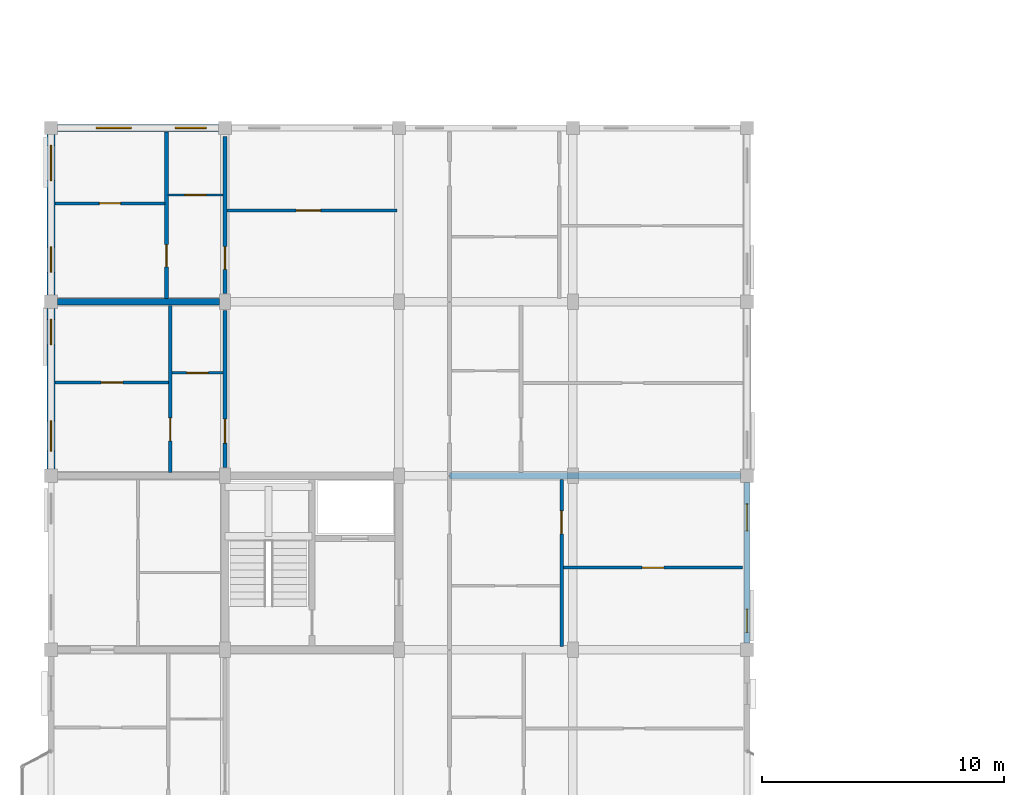
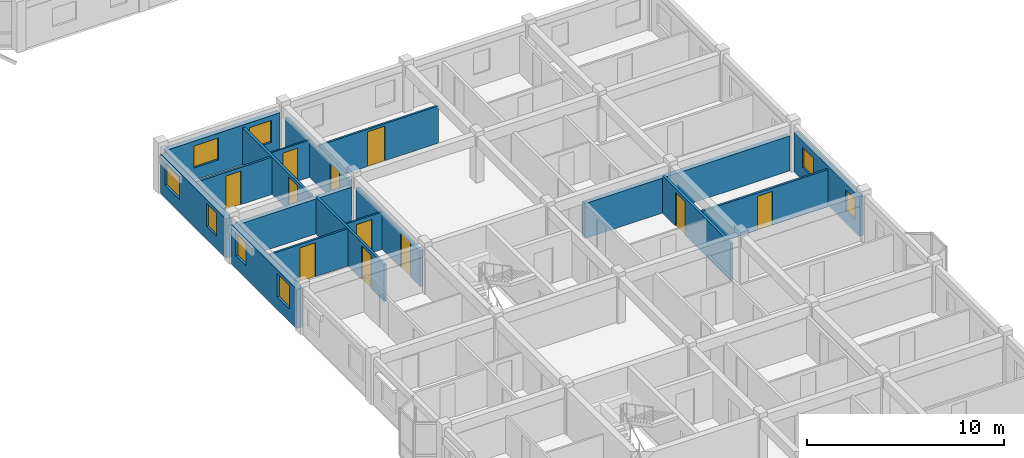
# One storey, part 53 of 77: 17 walls, 11 doors, 8 windows, 19 openings.
"""IFC4 building model written with IfcOpenShell, lengths in metres."""

from ifc_helpers import new_model, si_unit, direction, frame, frame_2d, origin, place, context, subcontext, project, spatial, rectangle, extrude, material, layer, layer_set, type_object, element, fill, save


model = new_model("IFC4")

# Units and contexts
model_context = context("Model", 3, precision=1e-05, world=origin(), true_north=direction((0.0, 1.0)))
body_context = subcontext(model_context, "Body", "Model", "MODEL_VIEW")
ifc_project = project(units=[si_unit("LENGTHUNIT", "METRE"), si_unit("AREAUNIT", "SQUARE_METRE"), si_unit("VOLUMEUNIT", "CUBIC_METRE"), si_unit("PLANEANGLEUNIT", "RADIAN"), si_unit("MASSUNIT", "GRAM", prefix="KILO"), si_unit("THERMODYNAMICTEMPERATUREUNIT", "KELVIN"), si_unit("POWERUNIT", "WATT")], contexts=[model_context])

# Site, building, storey
site_placement = place(None, origin())
site = spatial("IfcSite", under=ifc_project, at=site_placement, CompositionType="ELEMENT")
building_placement = place(site_placement, origin())
building = spatial("IfcBuilding", under=site, at=building_placement, Name="Tavuni Mirador Residences", CompositionType="ELEMENT")
storey_placement = place(building_placement, frame((0.0, 0.0, 10.800048828125)))
storey = spatial("IfcBuildingStorey", under=building, at=storey_placement, Name="L03", CompositionType="ELEMENT", Elevation=10.800048828125)

# Wall, opening, door
ifc_material_1 = material(Name="Precast concrete C40/50", Category="concrete")
ifc_layer_1 = layer(ifc_material_1, 0.1650390625, Name="Precast concrete C40/50", Category="concrete")
ifc_layer_set_1 = layer_set([ifc_layer_1], Name="Precast concrete C40/50")
wall_type_1 = type_object("IfcWallType", Name="WT-CORR165", PredefinedType="PARTITIONING", material=ifc_layer_set_1)
wall_1_placement = place(storey_placement, frame((10.800048828125, 36.35009765625, 0.0), z_axis=(0.0, 0.0, 1.0), x_axis=(0.0, 1.0, 0.0)))
wall_1 = element("IfcWall", 1, at=wall_1_placement, inside=storey, type_object=wall_type_1, Name="CORW-BLK-A-L03-1-04", PredefinedType="PARTITIONING", context=body_context, shape_type="SweptSolid", body=[
    extrude(rectangle(XDim=6.5, YDim=0.1650390625, at=frame_2d((3.25, 0.0))), origin(), (0.0, 0.0, 1.0), 2.219970703125),
])
opening_1_placement = place(wall_1_placement, frame((1.0, 0.0, 0.0)))
opening_1 = element("IfcOpeningElement", 2, at=opening_1_placement, cuts=wall_1, Name="Opening D-03", PredefinedType="OPENING", context=body_context, shape_type="SweptSolid", body=[
    extrude(rectangle(XDim=1.0, YDim=2.14990234375, at=frame_2d((0.5, 1.074951171875))), frame((0.0, 0.092529296875, 0.0), z_axis=(0.0, -1.0, 0.0), x_axis=(1.0, 0.0, 0.0)), (0.0, 0.0, 1.0), 0.18505859375),
])
ifc_material_2 = material(Name="Solid core iroko timber", Category="wood")
door_type_1 = type_object("IfcDoorType", Name="DT-FD60-1000", OperationType="NOTDEFINED", PredefinedType="DOOR", material=ifc_material_2)
door_1_placement = place(opening_1_placement, origin())
door_1 = element("IfcDoor", 3, at=door_1_placement, inside=storey, type_object=door_type_1, Name="DR-2421", OperationType="SINGLE_SWING_RIGHT", OverallHeight=2.14990234375, OverallWidth=1.0, PredefinedType="DOOR", context=body_context, shape_type="SweptSolid", body=[
    extrude(rectangle(XDim=1.0, YDim=2.14990234375, at=frame_2d((0.5, 1.074951171875))), frame((0.0, 0.02490234375, 0.0), z_axis=(0.0, -1.0, 0.0), x_axis=(1.0, 0.0, 0.0)), (0.0, 0.0, 1.0), 0.050048828125),
])
fill(opening_1, door_1)

wall_2_placement = place(storey_placement, frame((10.800048828125, 43.550048828125, 0.0), z_axis=(0.0, 0.0, 1.0), x_axis=(0.0, 1.0, 0.0)))
wall_2 = element("IfcWall", 4, at=wall_2_placement, inside=storey, type_object=wall_type_1, Name="CORW-BLK-A-L03-1-05", PredefinedType="PARTITIONING", context=body_context, shape_type="SweptSolid", body=[
    extrude(rectangle(XDim=6.5, YDim=0.1650390625, at=frame_2d((3.25, 0.0))), origin(), (0.0, 0.0, 1.0), 2.219970703125),
])
opening_2_placement = place(wall_2_placement, frame((1.0, 0.0, 0.0)))
opening_2 = element("IfcOpeningElement", 5, at=opening_2_placement, cuts=wall_2, Name="Opening D-19", PredefinedType="OPENING", context=body_context, shape_type="SweptSolid", body=[
    extrude(rectangle(XDim=0.93994140625, YDim=2.1201171875, at=frame_2d((0.469970703125, 1.06005859375))), frame((0.0, 0.092529296875, 0.0), z_axis=(0.0, -1.0, 0.0), x_axis=(1.0, 0.0, 0.0)), (0.0, 0.0, 1.0), 0.18505859375),
])
door_type_2 = type_object("IfcDoorType", Name="DT-FD60-940", OperationType="NOTDEFINED", PredefinedType="DOOR", material=ifc_material_2)
door_2_placement = place(opening_2_placement, origin())
door_2 = element("IfcDoor", 6, at=door_2_placement, inside=storey, type_object=door_type_2, Name="DR-2422", OperationType="SINGLE_SWING_LEFT", OverallHeight=2.1201171875, OverallWidth=0.93994140625, PredefinedType="DOOR", context=body_context, shape_type="SweptSolid", body=[
    extrude(rectangle(XDim=0.93994140625, YDim=2.1201171875, at=frame_2d((0.469970703125, 1.06005859375))), frame((0.0, 0.02490234375, 0.0), z_axis=(0.0, -1.0, 0.0), x_axis=(1.0, 0.0, 0.0)), (0.0, 0.0, 1.0), 0.050048828125),
])
fill(opening_2, door_2)

# Wall, openings, windows
ifc_layer_2 = layer(ifc_material_1, 0.330078125, Name="Precast concrete C40/50", Category="concrete")
ifc_layer_set_2 = layer_set([ifc_layer_2], Name="Precast concrete C40/50")
wall_type_2 = type_object("IfcWallType", Name="WT-EXT-COR330", PredefinedType="SOLIDWALL", material=ifc_layer_set_2)
wall_3_placement = place(storey_placement, frame((3.60009765625, 42.925048828125, 0.0), z_axis=(0.0, 0.0, 1.0), x_axis=(0.0, -1.0, 0.0)))
wall_3 = element("IfcWall", 7, at=wall_3_placement, inside=storey, type_object=wall_type_2, Name="EW-BLK-A-L03-W04", PredefinedType="SOLIDWALL", context=body_context, shape_type="SweptSolid", body=[
    extrude(rectangle(XDim=6.650146484375, YDim=0.330078125, at=frame_2d((3.3251953125, 0.0))), origin(), (0.0, 0.0, 1.0), 2.43994140625),
])
opening_3_placement = place(wall_3_placement, frame((0.449951171875, 0.0, 0.780029296875)))
opening_3 = element("IfcOpeningElement", 8, at=opening_3_placement, cuts=wall_3, Name="Opening WN-26", PredefinedType="OPENING", context=body_context, shape_type="SweptSolid", body=[
    extrude(rectangle(XDim=1.050048828125, YDim=1.43994140625, at=frame_2d((0.52490234375, 0.719970703125))), frame((0.0, 0.175048828125, 0.0), z_axis=(0.0, -1.0, 0.0), x_axis=(1.0, 0.0, 0.0)), (0.0, 0.0, 1.0), 0.35009765625),
])
opening_4_placement = place(wall_3_placement, frame((4.64990234375, 0.0, 0.780029296875)))
opening_4 = element("IfcOpeningElement", 9, at=opening_4_placement, cuts=wall_3, Name="Opening WN-28", PredefinedType="OPENING", context=body_context, shape_type="SweptSolid", body=[
    extrude(rectangle(XDim=1.25, YDim=1.43994140625, at=frame_2d((0.625, 0.719970703125))), frame((0.0, 0.175048828125, 0.0), z_axis=(0.0, -1.0, 0.0), x_axis=(1.0, 0.0, 0.0)), (0.0, 0.0, 1.0), 0.35009765625),
])
ifc_material_3 = material(Name="Laminated solar-control glass", Category="glass")
window_type_1 = type_object("IfcWindowType", Name="WNT-26", PartitioningType="SINGLE_PANEL", PredefinedType="WINDOW", material=ifc_material_3)
window_1_placement = place(opening_3_placement, origin())
window_1 = element("IfcWindow", 10, at=window_1_placement, inside=storey, type_object=window_type_1, Name="WIN-0142", OverallHeight=1.43994140625, OverallWidth=1.050048828125, PartitioningType="SINGLE_PANEL", PredefinedType="WINDOW", context=body_context, shape_type="SweptSolid", body=[
    extrude(rectangle(XDim=1.050048828125, YDim=1.43994140625, at=frame_2d((0.52490234375, 0.719970703125))), frame((0.0, 0.030029296875, 0.0), z_axis=(0.0, -1.0, 0.0), x_axis=(1.0, 0.0, 0.0)), (0.0, 0.0, 1.0), 0.06005859375),
])
fill(opening_3, window_1)
window_type_2 = type_object("IfcWindowType", Name="WNT-28", PartitioningType="SINGLE_PANEL", PredefinedType="WINDOW", material=ifc_material_3)
window_2_placement = place(opening_4_placement, origin())
window_2 = element("IfcWindow", 11, at=window_2_placement, inside=storey, type_object=window_type_2, Name="WIN-0143", OverallHeight=1.43994140625, OverallWidth=1.25, PartitioningType="SINGLE_PANEL", PredefinedType="WINDOW", context=body_context, shape_type="SweptSolid", body=[
    extrude(rectangle(XDim=1.25, YDim=1.43994140625, at=frame_2d((0.625, 0.719970703125))), frame((0.0, 0.030029296875, 0.0), z_axis=(0.0, -1.0, 0.0), x_axis=(1.0, 0.0, 0.0)), (0.0, 0.0, 1.0), 0.06005859375),
])
fill(opening_4, window_2)

ifc_material_4 = material(Name="Sgraffito lime-rendered precast concrete C40/50", Category="concrete")
ifc_layer_3 = layer(ifc_material_4, 0.2451171875, Name="Sgraffito lime-rendered precast concrete C40/50", Category="concrete")
ifc_layer_set_3 = layer_set([ifc_layer_3], Name="Sgraffito lime-rendered precast concrete C40/50")
wall_type_3 = type_object("IfcWallType", Name="WT-EXT-PC245", PredefinedType="SOLIDWALL", material=ifc_layer_set_3)
wall_4_placement = place(storey_placement, frame((32.39990234375, 29.074951171875, 0.0), z_axis=(0.0, 0.0, 1.0), x_axis=(0.0, 1.0, 0.0)))
wall_4 = element("IfcWall", 12, at=wall_4_placement, inside=storey, type_object=wall_type_3, Name="EW-BLK-A-L03-E03", PredefinedType="SOLIDWALL", context=body_context, shape_type="SweptSolid", body=[
    extrude(rectangle(XDim=6.650146484375, YDim=0.2451171875, at=frame_2d((3.3251953125, 0.0))), origin(), (0.0, 0.0, 1.0), 2.43994140625),
])
opening_5_placement = place(wall_4_placement, frame((0.449951171875, 0.0, 0.780029296875)))
opening_5 = element("IfcOpeningElement", 13, at=opening_5_placement, cuts=wall_4, Name="Opening WN-10", PredefinedType="OPENING", context=body_context, shape_type="SweptSolid", body=[
    extrude(rectangle(XDim=0.9599609375, YDim=1.260009765625, at=frame_2d((0.47998046875, 0.6298828125))), frame((0.0, 0.132568359375, 0.0), z_axis=(0.0, -1.0, 0.0), x_axis=(1.0, 0.0, 0.0)), (0.0, 0.0, 1.0), 0.26513671875),
])
opening_6_placement = place(wall_4_placement, frame((4.64990234375, 0.0, 0.780029296875)))
opening_6 = element("IfcOpeningElement", 14, at=opening_6_placement, cuts=wall_4, Name="Opening WN-12", PredefinedType="OPENING", context=body_context, shape_type="SweptSolid", body=[
    extrude(rectangle(XDim=1.1201171875, YDim=1.260009765625, at=frame_2d((0.56005859375, 0.6298828125))), frame((0.0, 0.132568359375, 0.0), z_axis=(0.0, -1.0, 0.0), x_axis=(1.0, 0.0, 0.0)), (0.0, 0.0, 1.0), 0.26513671875),
])
window_type_3 = type_object("IfcWindowType", Name="WNT-10", PartitioningType="SINGLE_PANEL", PredefinedType="WINDOW", material=ifc_material_3)
window_3_placement = place(opening_5_placement, origin())
window_3 = element("IfcWindow", 15, at=window_3_placement, inside=storey, type_object=window_type_3, Name="WIN-0126", OverallHeight=1.260009765625, OverallWidth=0.9599609375, PartitioningType="SINGLE_PANEL", PredefinedType="WINDOW", context=body_context, shape_type="SweptSolid", body=[
    extrude(rectangle(XDim=0.9599609375, YDim=1.260009765625, at=frame_2d((0.47998046875, 0.6298828125))), frame((0.0, 0.030029296875, 0.0), z_axis=(0.0, -1.0, 0.0), x_axis=(1.0, 0.0, 0.0)), (0.0, 0.0, 1.0), 0.06005859375),
])
fill(opening_5, window_3)
window_type_4 = type_object("IfcWindowType", Name="WNT-12", PartitioningType="SINGLE_PANEL", PredefinedType="WINDOW", material=ifc_material_3)
window_4_placement = place(opening_6_placement, origin())
window_4 = element("IfcWindow", 16, at=window_4_placement, inside=storey, type_object=window_type_4, Name="WIN-0127", OverallHeight=1.260009765625, OverallWidth=1.1201171875, PartitioningType="SINGLE_PANEL", PredefinedType="WINDOW", context=body_context, shape_type="SweptSolid", body=[
    extrude(rectangle(XDim=1.1201171875, YDim=1.260009765625, at=frame_2d((0.56005859375, 0.6298828125))), frame((0.0, 0.030029296875, 0.0), z_axis=(0.0, -1.0, 0.0), x_axis=(1.0, 0.0, 0.0)), (0.0, 0.0, 1.0), 0.06005859375),
])
fill(opening_6, window_4)

ifc_layer_4 = layer(ifc_material_4, 0.2900390625, Name="Sgraffito lime-rendered precast concrete C40/50", Category="concrete")
ifc_layer_set_4 = layer_set([ifc_layer_4], Name="Sgraffito lime-rendered precast concrete C40/50")
wall_type_4 = type_object("IfcWallType", Name="WT-EXT-PC290", PredefinedType="SOLIDWALL", material=ifc_layer_set_4)
wall_5_placement = place(storey_placement, frame((10.52490234375, 50.39990234375, 0.0), z_axis=(0.0, 0.0, 1.0), x_axis=(-1.0, 0.0, 0.0)))
wall_5 = element("IfcWall", 17, at=wall_5_placement, inside=storey, type_object=wall_type_4, Name="EW-BLK-A-L03-N00", PredefinedType="SOLIDWALL", context=body_context, shape_type="SweptSolid", body=[
    extrude(rectangle(XDim=6.64990234375, YDim=0.2900390625, at=frame_2d((3.324951171875, 0.0))), origin(), (0.0, 0.0, 1.0), 2.43994140625),
])
opening_7_placement = place(wall_5_placement, frame((0.492431640625, 0.0, 0.780029296875)))
opening_7 = element("IfcOpeningElement", 18, at=opening_7_placement, cuts=wall_5, Name="Opening WN-22", PredefinedType="OPENING", context=body_context, shape_type="SweptSolid", body=[
    extrude(rectangle(XDim=1.300048828125, YDim=1.360107421875, at=frame_2d((0.64990234375, 0.68017578125))), frame((0.0, 0.155029296875, 0.0), z_axis=(0.0, -1.0, 0.0), x_axis=(1.0, 0.0, 0.0)), (0.0, 0.0, 1.0), 0.31005859375),
])
opening_8_placement = place(wall_5_placement, frame((3.597412109375, 0.0, 0.780029296875)))
opening_8 = element("IfcOpeningElement", 19, at=opening_8_placement, cuts=wall_5, Name="Opening WN-24", PredefinedType="OPENING", context=body_context, shape_type="SweptSolid", body=[
    extrude(rectangle(XDim=1.4599609375, YDim=1.360107421875, at=frame_2d((0.72998046875, 0.68017578125))), frame((0.0, 0.155029296875, 0.0), z_axis=(0.0, -1.0, 0.0), x_axis=(1.0, 0.0, 0.0)), (0.0, 0.0, 1.0), 0.31005859375),
])
window_type_5 = type_object("IfcWindowType", Name="WNT-22", PartitioningType="SINGLE_PANEL", PredefinedType="WINDOW", material=ifc_material_3)
window_5_placement = place(opening_7_placement, origin())
window_5 = element("IfcWindow", 20, at=window_5_placement, inside=storey, type_object=window_type_5, Name="WIN-0138", OverallHeight=1.360107421875, OverallWidth=1.300048828125, PartitioningType="SINGLE_PANEL", PredefinedType="WINDOW", context=body_context, shape_type="SweptSolid", body=[
    extrude(rectangle(XDim=1.300048828125, YDim=1.360107421875, at=frame_2d((0.64990234375, 0.68017578125))), frame((0.0, 0.030029296875, 0.0), z_axis=(0.0, -1.0, 0.0), x_axis=(1.0, 0.0, 0.0)), (0.0, 0.0, 1.0), 0.06005859375),
])
fill(opening_7, window_5)
window_type_6 = type_object("IfcWindowType", Name="WNT-24", PartitioningType="SINGLE_PANEL", PredefinedType="WINDOW", material=ifc_material_3)
window_6_placement = place(opening_8_placement, origin())
window_6 = element("IfcWindow", 21, at=window_6_placement, inside=storey, type_object=window_type_6, Name="WIN-0139", OverallHeight=1.360107421875, OverallWidth=1.4599609375, PartitioningType="SINGLE_PANEL", PredefinedType="WINDOW", context=body_context, shape_type="SweptSolid", body=[
    extrude(rectangle(XDim=1.4599609375, YDim=1.360107421875, at=frame_2d((0.72998046875, 0.68017578125))), frame((0.0, 0.030029296875, 0.0), z_axis=(0.0, -1.0, 0.0), x_axis=(1.0, 0.0, 0.0)), (0.0, 0.0, 1.0), 0.06005859375),
])
fill(opening_8, window_6)

ifc_layer_5 = layer(ifc_material_4, 0.31494140625, Name="Sgraffito lime-rendered precast concrete C40/50", Category="concrete")
ifc_layer_set_5 = layer_set([ifc_layer_5], Name="Sgraffito lime-rendered precast concrete C40/50")
wall_type_5 = type_object("IfcWallType", Name="WT-EXT-PC315", PredefinedType="SOLIDWALL", material=ifc_layer_set_5)
wall_6_placement = place(storey_placement, frame((3.60009765625, 50.125, 0.0), z_axis=(0.0, 0.0, 1.0), x_axis=(0.0, -1.0, 0.0)))
wall_6 = element("IfcWall", 22, at=wall_6_placement, inside=storey, type_object=wall_type_5, Name="EW-BLK-A-L03-W05", PredefinedType="SOLIDWALL", context=body_context, shape_type="SweptSolid", body=[
    extrude(rectangle(XDim=6.64990234375, YDim=0.31494140625, at=frame_2d((3.324951171875, 0.0))), origin(), (0.0, 0.0, 1.0), 2.43994140625),
])
opening_9_placement = place(wall_6_placement, frame((0.449951171875, 0.0, 0.780029296875)))
opening_9 = element("IfcOpeningElement", 23, at=opening_9_placement, cuts=wall_6, Name="Opening WN-24", PredefinedType="OPENING", context=body_context, shape_type="SweptSolid", body=[
    extrude(rectangle(XDim=1.4599609375, YDim=1.360107421875, at=frame_2d((0.72998046875, 0.68017578125))), frame((0.0, 0.16748046875, 0.0), z_axis=(0.0, -1.0, 0.0), x_axis=(1.0, 0.0, 0.0)), (0.0, 0.0, 1.0), 0.3349609375),
])
opening_10_placement = place(wall_6_placement, frame((4.64990234375, 0.0, 0.780029296875)))
opening_10 = element("IfcOpeningElement", 24, at=opening_10_placement, cuts=wall_6, Name="Opening WN-26", PredefinedType="OPENING", context=body_context, shape_type="SweptSolid", body=[
    extrude(rectangle(XDim=1.050048828125, YDim=1.43994140625, at=frame_2d((0.52490234375, 0.719970703125))), frame((0.0, 0.16748046875, 0.0), z_axis=(0.0, -1.0, 0.0), x_axis=(1.0, 0.0, 0.0)), (0.0, 0.0, 1.0), 0.3349609375),
])
window_7_placement = place(opening_9_placement, origin())
window_7 = element("IfcWindow", 25, at=window_7_placement, inside=storey, type_object=window_type_6, Name="WIN-0140", OverallHeight=1.360107421875, OverallWidth=1.4599609375, PartitioningType="SINGLE_PANEL", PredefinedType="WINDOW", context=body_context, shape_type="SweptSolid", body=[
    extrude(rectangle(XDim=1.4599609375, YDim=1.360107421875, at=frame_2d((0.72998046875, 0.68017578125))), frame((0.0, 0.030029296875, 0.0), z_axis=(0.0, -1.0, 0.0), x_axis=(1.0, 0.0, 0.0)), (0.0, 0.0, 1.0), 0.06005859375),
])
fill(opening_9, window_7)
window_8_placement = place(opening_10_placement, origin())
window_8 = element("IfcWindow", 26, at=window_8_placement, inside=storey, type_object=window_type_1, Name="WIN-0141", OverallHeight=1.43994140625, OverallWidth=1.050048828125, PartitioningType="SINGLE_PANEL", PredefinedType="WINDOW", context=body_context, shape_type="SweptSolid", body=[
    extrude(rectangle(XDim=1.050048828125, YDim=1.43994140625, at=frame_2d((0.52490234375, 0.719970703125))), frame((0.0, 0.030029296875, 0.0), z_axis=(0.0, -1.0, 0.0), x_axis=(1.0, 0.0, 0.0)), (0.0, 0.0, 1.0), 0.06005859375),
])
fill(opening_10, window_8)

# Wall, opening, door
ifc_material_5 = material(Name="Acoustic gypsum and concrete block partition", Category="concrete")
ifc_layer_6 = layer(ifc_material_5, 0.094970703125, Name="Acoustic gypsum and concrete block partition", Category="concrete")
ifc_layer_set_6 = layer_set([ifc_layer_6], Name="Acoustic gypsum and concrete block partition")
wall_type_6 = type_object("IfcWallType", Name="WT-PART095", PredefinedType="PARTITIONING", material=ifc_layer_set_6)
wall_7_placement = place(storey_placement, frame((8.449951171875, 47.6201171875, 0.0), z_axis=(0.0, 0.0, 1.0), x_axis=(1.0, 0.0, 0.0)))
wall_7 = element("IfcWall", 27, at=wall_7_placement, inside=storey, type_object=wall_type_6, Name="PW-BLK-A-L03-W05-IN1", PredefinedType="PARTITIONING", context=body_context, shape_type="SweptSolid", body=[
    extrude(rectangle(XDim=2.260009765625, YDim=0.094970703125, at=frame_2d((1.1298828125, 0.0))), origin(), (0.0, 0.0, 1.0), 2.304931640625),
])
opening_11_placement = place(wall_7_placement, frame((0.695068359375, 0.0, 0.0)))
opening_11 = element("IfcOpeningElement", 28, at=opening_11_placement, cuts=wall_7, Name="Opening D-10", PredefinedType="OPENING", context=body_context, shape_type="SweptSolid", body=[
    extrude(rectangle(XDim=0.8701171875, YDim=2.050048828125, at=frame_2d((0.43505859375, 1.02490234375))), frame((0.0, 0.0576171875, 0.0), z_axis=(0.0, -1.0, 0.0), x_axis=(1.0, 0.0, 0.0)), (0.0, 0.0, 1.0), 0.114990234375),
])
door_type_3 = type_object("IfcDoorType", Name="DT-WC870", OperationType="NOTDEFINED", PredefinedType="DOOR", material=ifc_material_2)
door_3_placement = place(opening_11_placement, origin())
door_3 = element("IfcDoor", 29, at=door_3_placement, inside=storey, type_object=door_type_3, Name="DR-3057", OperationType="SINGLE_SWING_LEFT", OverallHeight=2.050048828125, OverallWidth=0.8701171875, PredefinedType="DOOR", context=body_context, shape_type="SweptSolid", body=[
    extrude(rectangle(XDim=0.8701171875, YDim=2.050048828125, at=frame_2d((0.43505859375, 1.02490234375))), frame((0.0, 0.02490234375, 0.0), z_axis=(0.0, -1.0, 0.0), x_axis=(1.0, 0.0, 0.0)), (0.0, 0.0, 1.0), 0.050048828125),
])
fill(opening_11, door_3)

ifc_layer_7 = layer(ifc_material_5, 0.10498046875, Name="Acoustic gypsum and concrete block partition", Category="concrete")
ifc_layer_set_7 = layer_set([ifc_layer_7], Name="Acoustic gypsum and concrete block partition")
wall_type_7 = type_object("IfcWallType", Name="WT-PART105", PredefinedType="PARTITIONING", material=ifc_layer_set_7)
wall_8_placement = place(storey_placement, frame((8.610107421875, 40.260009765625, 0.0), z_axis=(0.0, 0.0, 1.0), x_axis=(1.0, 0.0, 0.0)))
wall_8 = element("IfcWall", 30, at=wall_8_placement, inside=storey, type_object=wall_type_7, Name="PW-BLK-A-L03-W04-IN1", PredefinedType="PARTITIONING", context=body_context, shape_type="SweptSolid", body=[
    extrude(rectangle(XDim=2.099853515625, YDim=0.10498046875, at=frame_2d((1.0498046875, 0.0))), origin(), (0.0, 0.0, 1.0), 2.304931640625),
])
opening_12_placement = place(wall_8_placement, frame((0.60009765625, 0.0, 0.0)))
opening_12 = element("IfcOpeningElement", 31, at=opening_12_placement, cuts=wall_8, Name="Opening D-09", PredefinedType="OPENING", context=body_context, shape_type="SweptSolid", body=[
    extrude(rectangle(XDim=0.89990234375, YDim=2.050048828125, at=frame_2d((0.449951171875, 1.02490234375))), frame((0.0, 0.0625, 0.0), z_axis=(0.0, -1.0, 0.0), x_axis=(1.0, 0.0, 0.0)), (0.0, 0.0, 1.0), 0.125),
])
door_type_4 = type_object("IfcDoorType", Name="DT-WC900", OperationType="NOTDEFINED", PredefinedType="DOOR", material=ifc_material_2)
door_4_placement = place(opening_12_placement, origin())
door_4 = element("IfcDoor", 32, at=door_4_placement, inside=storey, type_object=door_type_4, Name="DR-3050", OperationType="SINGLE_SWING_RIGHT", OverallHeight=2.050048828125, OverallWidth=0.89990234375, PredefinedType="DOOR", context=body_context, shape_type="SweptSolid", body=[
    extrude(rectangle(XDim=0.89990234375, YDim=2.050048828125, at=frame_2d((0.449951171875, 1.02490234375))), frame((0.0, 0.02490234375, 0.0), z_axis=(0.0, -1.0, 0.0), x_axis=(1.0, 0.0, 0.0)), (0.0, 0.0, 1.0), 0.050048828125),
])
fill(opening_12, door_4)

ifc_layer_8 = layer(ifc_material_5, 0.114990234375, Name="Acoustic gypsum and concrete block partition", Category="concrete")
ifc_layer_set_8 = layer_set([ifc_layer_8], Name="Acoustic gypsum and concrete block partition")
wall_type_8 = type_object("IfcWallType", Name="WT-PART115", PredefinedType="PARTITIONING", material=ifc_layer_set_8)
wall_9_placement = place(storey_placement, frame((3.77490234375, 39.860107421875, 0.0), z_axis=(0.0, 0.0, 1.0), x_axis=(1.0, 0.0, 0.0)))
wall_9 = element("IfcWall", 33, at=wall_9_placement, inside=storey, type_object=wall_type_8, Name="PW-BLK-A-L03-W04-OUT", PredefinedType="PARTITIONING", context=body_context, shape_type="SweptSolid", body=[
    extrude(rectangle(XDim=4.695068359375, YDim=0.114990234375, at=frame_2d((2.34765625, 0.0))), origin(), (0.0, 0.0, 1.0), 2.304931640625),
])
opening_13_placement = place(wall_9_placement, frame((1.8974609375, 0.0, 0.0)))
opening_13 = element("IfcOpeningElement", 34, at=opening_13_placement, cuts=wall_9, Name="Opening D-07", PredefinedType="OPENING", context=body_context, shape_type="SweptSolid", body=[
    extrude(rectangle(XDim=0.89990234375, YDim=2.10009765625, at=frame_2d((0.449951171875, 1.050048828125))), frame((0.0, 0.0673828125, 0.0), z_axis=(0.0, -1.0, 0.0), x_axis=(1.0, 0.0, 0.0)), (0.0, 0.0, 1.0), 0.135009765625),
])
door_type_5 = type_object("IfcDoorType", Name="DT-BED900", OperationType="NOTDEFINED", PredefinedType="DOOR", material=ifc_material_2)
door_5_placement = place(opening_13_placement, origin())
door_5 = element("IfcDoor", 35, at=door_5_placement, inside=storey, type_object=door_type_5, Name="DR-3049", OperationType="SINGLE_SWING_LEFT", OverallHeight=2.10009765625, OverallWidth=0.89990234375, PredefinedType="DOOR", context=body_context, shape_type="SweptSolid", body=[
    extrude(rectangle(XDim=0.89990234375, YDim=2.10009765625, at=frame_2d((0.449951171875, 1.050048828125))), frame((0.0, 0.02490234375, 0.0), z_axis=(0.0, -1.0, 0.0), x_axis=(1.0, 0.0, 0.0)), (0.0, 0.0, 1.0), 0.050048828125),
])
fill(opening_13, door_5)

wall_10_placement = place(storey_placement, frame((10.889892578125, 46.97998046875, 0.0), z_axis=(0.0, 0.0, 1.0), x_axis=(1.0, 0.0, 0.0)))
wall_10 = element("IfcWall", 36, at=wall_10_placement, inside=storey, type_object=wall_type_8, Name="PW-SPN-BLK-A-L03-05", PredefinedType="PARTITIONING", context=body_context, shape_type="SweptSolid", body=[
    extrude(rectangle(XDim=7.02001953125, YDim=0.114990234375, at=frame_2d((3.510009765625, 0.0))), origin(), (0.0, 0.0, 1.0), 2.304931640625),
])
opening_14_placement = place(wall_10_placement, frame((2.85009765625, 0.0, 0.0)))
opening_14 = element("IfcOpeningElement", 37, at=opening_14_placement, cuts=wall_10, Name="Opening D-13", PredefinedType="OPENING", context=body_context, shape_type="SweptSolid", body=[
    extrude(rectangle(XDim=1.02001953125, YDim=2.14990234375, at=frame_2d((0.510009765625, 1.074951171875))), frame((0.0, 0.0673828125, 0.0), z_axis=(0.0, -1.0, 0.0), x_axis=(1.0, 0.0, 0.0)), (0.0, 0.0, 1.0), 0.135009765625),
])
door_type_6 = type_object("IfcDoorType", Name="DT-MTG1020", OperationType="NOTDEFINED", PredefinedType="DOOR", material=ifc_material_2)
door_6_placement = place(opening_14_placement, origin())
door_6 = element("IfcDoor", 38, at=door_6_placement, inside=storey, type_object=door_type_6, Name="DR-3055", OperationType="SINGLE_SWING_LEFT", OverallHeight=2.14990234375, OverallWidth=1.02001953125, PredefinedType="DOOR", context=body_context, shape_type="SweptSolid", body=[
    extrude(rectangle(XDim=1.02001953125, YDim=2.14990234375, at=frame_2d((0.510009765625, 1.074951171875))), frame((0.0, 0.02490234375, 0.0), z_axis=(0.0, -1.0, 0.0), x_axis=(1.0, 0.0, 0.0)), (0.0, 0.0, 1.0), 0.050048828125),
])
fill(opening_14, door_6)

ifc_layer_9 = layer(ifc_material_5, 0.125, Name="Acoustic gypsum and concrete block partition", Category="concrete")
ifc_layer_set_9 = layer_set([ifc_layer_9], Name="Acoustic gypsum and concrete block partition")
wall_type_9 = type_object("IfcWallType", Name="WT-PART125", PredefinedType="PARTITIONING", material=ifc_layer_set_9)
wall_11_placement = place(storey_placement, frame((24.800048828125, 32.199951171875, 0.0), z_axis=(0.0, 0.0, 1.0), x_axis=(1.0, 0.0, 0.0)))
wall_11 = element("IfcWall", 39, at=wall_11_placement, inside=storey, type_object=wall_type_9, Name="PW-BLK-A-L03-E03-OUT", PredefinedType="PARTITIONING", context=body_context, shape_type="SweptSolid", body=[
    extrude(rectangle(XDim=7.425048828125, YDim=0.125, at=frame_2d((3.71240234375, 0.0))), origin(), (0.0, 0.0, 1.0), 2.304931640625),
])
opening_15_placement = place(wall_11_placement, frame((3.262451171875, 0.0, 0.0)))
opening_15 = element("IfcOpeningElement", 40, at=opening_15_placement, cuts=wall_11, Name="Opening D-07", PredefinedType="OPENING", context=body_context, shape_type="SweptSolid", body=[
    extrude(rectangle(XDim=0.89990234375, YDim=2.10009765625, at=frame_2d((0.449951171875, 1.050048828125))), frame((0.0, 0.072509765625, 0.0), z_axis=(0.0, -1.0, 0.0), x_axis=(1.0, 0.0, 0.0)), (0.0, 0.0, 1.0), 0.14501953125),
])
door_7_placement = place(opening_15_placement, origin())
door_7 = element("IfcDoor", 41, at=door_7_placement, inside=storey, type_object=door_type_5, Name="DR-3046", OperationType="SINGLE_SWING_LEFT", OverallHeight=2.10009765625, OverallWidth=0.89990234375, PredefinedType="DOOR", context=body_context, shape_type="SweptSolid", body=[
    extrude(rectangle(XDim=0.89990234375, YDim=2.10009765625, at=frame_2d((0.449951171875, 1.050048828125))), frame((0.0, 0.02490234375, 0.0), z_axis=(0.0, -1.0, 0.0), x_axis=(1.0, 0.0, 0.0)), (0.0, 0.0, 1.0), 0.050048828125),
])
fill(opening_15, door_7)

wall_12_placement = place(storey_placement, frame((3.77490234375, 47.280029296875, 0.0), z_axis=(0.0, 0.0, 1.0), x_axis=(1.0, 0.0, 0.0)))
wall_12 = element("IfcWall", 42, at=wall_12_placement, inside=storey, type_object=wall_type_9, Name="PW-BLK-A-L03-W05-OUT", PredefinedType="PARTITIONING", context=body_context, shape_type="SweptSolid", body=[
    extrude(rectangle(XDim=4.53515625, YDim=0.125, at=frame_2d((2.267578125, 0.0))), origin(), (0.0, 0.0, 1.0), 2.304931640625),
])
opening_16_placement = place(wall_12_placement, frame((1.827392578125, 0.0, 0.0)))
opening_16 = element("IfcOpeningElement", 43, at=opening_16_placement, cuts=wall_12, Name="Opening D-08", PredefinedType="OPENING", context=body_context, shape_type="SweptSolid", body=[
    extrude(rectangle(XDim=0.8798828125, YDim=2.080078125, at=frame_2d((0.43994140625, 1.0400390625))), frame((0.0, 0.072509765625, 0.0), z_axis=(0.0, -1.0, 0.0), x_axis=(1.0, 0.0, 0.0)), (0.0, 0.0, 1.0), 0.14501953125),
])
door_type_7 = type_object("IfcDoorType", Name="DT-BED880", OperationType="NOTDEFINED", PredefinedType="DOOR", material=ifc_material_2)
door_8_placement = place(opening_16_placement, origin())
door_8 = element("IfcDoor", 44, at=door_8_placement, inside=storey, type_object=door_type_7, Name="DR-3056", OperationType="SINGLE_SWING_RIGHT", OverallHeight=2.080078125, OverallWidth=0.8798828125, PredefinedType="DOOR", context=body_context, shape_type="SweptSolid", body=[
    extrude(rectangle(XDim=0.8798828125, YDim=2.080078125, at=frame_2d((0.43994140625, 1.0400390625))), frame((0.0, 0.02490234375, 0.0), z_axis=(0.0, -1.0, 0.0), x_axis=(1.0, 0.0, 0.0)), (0.0, 0.0, 1.0), 0.050048828125),
])
fill(opening_16, door_8)

ifc_layer_10 = layer(ifc_material_5, 0.139892578125, Name="Acoustic gypsum and concrete block partition", Category="concrete")
ifc_layer_set_10 = layer_set([ifc_layer_10], Name="Acoustic gypsum and concrete block partition")
wall_type_10 = type_object("IfcWallType", Name="WT-PART140", PredefinedType="PARTITIONING", material=ifc_layer_set_10)
wall_13_placement = place(storey_placement, frame((8.5400390625, 36.139892578125, 0.0), z_axis=(0.0, 0.0, 1.0), x_axis=(0.0, 1.0, 0.0)))
wall_13 = element("IfcWall", 45, at=wall_13_placement, inside=storey, type_object=wall_type_10, Name="PW-BLK-A-L03-W04-MID", PredefinedType="PARTITIONING", context=body_context, shape_type="SweptSolid", body=[
    extrude(rectangle(XDim=6.920166015625, YDim=0.139892578125, at=frame_2d((3.4599609375, 0.0))), origin(), (0.0, 0.0, 1.0), 2.304931640625),
])
opening_17_placement = place(wall_13_placement, frame((1.31005859375, 0.0, 0.0)))
opening_17 = element("IfcOpeningElement", 46, at=opening_17_placement, cuts=wall_13, Name="Opening D-05", PredefinedType="OPENING", context=body_context, shape_type="SweptSolid", body=[
    extrude(rectangle(XDim=0.949951171875, YDim=2.10009765625, at=frame_2d((0.47509765625, 1.050048828125))), frame((0.0, 0.080078125, 0.0), z_axis=(0.0, -1.0, 0.0), x_axis=(1.0, 0.0, 0.0)), (0.0, 0.0, 1.0), 0.159912109375),
])
door_type_8 = type_object("IfcDoorType", Name="DT-INT950", OperationType="NOTDEFINED", PredefinedType="DOOR", material=ifc_material_2)
door_9_placement = place(opening_17_placement, origin())
door_9 = element("IfcDoor", 47, at=door_9_placement, inside=storey, type_object=door_type_8, Name="DR-3051", OperationType="SINGLE_SWING_LEFT", OverallHeight=2.10009765625, OverallWidth=0.949951171875, PredefinedType="DOOR", context=body_context, shape_type="SweptSolid", body=[
    extrude(rectangle(XDim=0.949951171875, YDim=2.10009765625, at=frame_2d((0.47509765625, 1.050048828125))), frame((0.0, 0.02490234375, 0.0), z_axis=(0.0, -1.0, 0.0), x_axis=(1.0, 0.0, 0.0)), (0.0, 0.0, 1.0), 0.050048828125),
])
fill(opening_17, door_9)

ifc_layer_11 = layer(ifc_material_5, 0.14990234375, Name="Acoustic gypsum and concrete block partition", Category="concrete")
ifc_layer_set_11 = layer_set([ifc_layer_11], Name="Acoustic gypsum and concrete block partition")
wall_type_11 = type_object("IfcWallType", Name="WT-PART150", PredefinedType="PARTITIONING", material=ifc_layer_set_11)
wall_14_placement = place(storey_placement, frame((24.72998046875, 28.93994140625, 0.0), z_axis=(0.0, 0.0, 1.0), x_axis=(0.0, 1.0, 0.0)))
wall_14 = element("IfcWall", 48, at=wall_14_placement, inside=storey, type_object=wall_type_11, Name="PW-BLK-A-L03-E03-MID", PredefinedType="PARTITIONING", context=body_context, shape_type="SweptSolid", body=[
    extrude(rectangle(XDim=6.920166015625, YDim=0.14990234375, at=frame_2d((3.4599609375, 0.0))), origin(), (0.0, 0.0, 1.0), 2.304931640625),
])
opening_18_placement = place(wall_14_placement, frame((4.659912109375, 0.0, 0.0)))
opening_18 = element("IfcOpeningElement", 49, at=opening_18_placement, cuts=wall_14, Name="Opening D-05", PredefinedType="OPENING", context=body_context, shape_type="SweptSolid", body=[
    extrude(rectangle(XDim=0.949951171875, YDim=2.10009765625, at=frame_2d((0.47509765625, 1.050048828125))), frame((0.0, 0.0849609375, 0.0), z_axis=(0.0, -1.0, 0.0), x_axis=(1.0, 0.0, 0.0)), (0.0, 0.0, 1.0), 0.169921875),
])
door_10_placement = place(opening_18_placement, origin())
door_10 = element("IfcDoor", 50, at=door_10_placement, inside=storey, type_object=door_type_8, Name="DR-3048", OperationType="SINGLE_SWING_LEFT", OverallHeight=2.10009765625, OverallWidth=0.949951171875, PredefinedType="DOOR", context=body_context, shape_type="SweptSolid", body=[
    extrude(rectangle(XDim=0.949951171875, YDim=2.10009765625, at=frame_2d((0.47509765625, 1.050048828125))), frame((0.0, 0.02490234375, 0.0), z_axis=(0.0, -1.0, 0.0), x_axis=(1.0, 0.0, 0.0)), (0.0, 0.0, 1.0), 0.050048828125),
])
fill(opening_18, door_10)

wall_15_placement = place(storey_placement, frame((8.3798828125, 43.340087890625, 0.0), z_axis=(0.0, 0.0, 1.0), x_axis=(0.0, 1.0, 0.0)))
wall_15 = element("IfcWall", 51, at=wall_15_placement, inside=storey, type_object=wall_type_11, Name="PW-BLK-A-L03-W05-MID", PredefinedType="PARTITIONING", context=body_context, shape_type="SweptSolid", body=[
    extrude(rectangle(XDim=6.885009765625, YDim=0.14990234375, at=frame_2d((3.4423828125, 0.0))), origin(), (0.0, 0.0, 1.0), 2.304931640625),
])
opening_19_placement = place(wall_15_placement, frame((1.31005859375, 0.0, 0.0)))
opening_19 = element("IfcOpeningElement", 52, at=opening_19_placement, cuts=wall_15, Name="Opening D-06", PredefinedType="OPENING", context=body_context, shape_type="SweptSolid", body=[
    extrude(rectangle(XDim=0.919921875, YDim=2.10009765625, at=frame_2d((0.4599609375, 1.050048828125))), frame((0.0, 0.0849609375, 0.0), z_axis=(0.0, -1.0, 0.0), x_axis=(1.0, 0.0, 0.0)), (0.0, 0.0, 1.0), 0.169921875),
])
door_type_9 = type_object("IfcDoorType", Name="DT-INT920", OperationType="NOTDEFINED", PredefinedType="DOOR", material=ifc_material_2)
door_11_placement = place(opening_19_placement, origin())
door_11 = element("IfcDoor", 53, at=door_11_placement, inside=storey, type_object=door_type_9, Name="DR-3058", OperationType="SINGLE_SWING_RIGHT", OverallHeight=2.10009765625, OverallWidth=0.919921875, PredefinedType="DOOR", context=body_context, shape_type="SweptSolid", body=[
    extrude(rectangle(XDim=0.919921875, YDim=2.10009765625, at=frame_2d((0.4599609375, 1.050048828125))), frame((0.0, 0.02490234375, 0.0), z_axis=(0.0, -1.0, 0.0), x_axis=(1.0, 0.0, 0.0)), (0.0, 0.0, 1.0), 0.050048828125),
])
fill(opening_19, door_11)

# Walls
ifc_layer_12 = layer(ifc_material_1, 0.264892578125, Name="Precast concrete C40/50", Category="concrete")
ifc_layer_set_12 = layer_set([ifc_layer_12], Name="Precast concrete C40/50")
wall_type_12 = type_object("IfcWallType", Name="WT-XW265", PredefinedType="SOLIDWALL", material=ifc_layer_set_12)
wall_16_placement = place(storey_placement, frame((20.10009765625, 36.0, 0.0), z_axis=(0.0, 0.0, 1.0), x_axis=(1.0, 0.0, 0.0)))
element("IfcWall", 54, at=wall_16_placement, inside=storey, type_object=wall_type_12, Name="XW-BLK-A-L03-E-04", PredefinedType="SOLIDWALL", context=body_context, shape_type="SweptSolid", body=[
    extrude(rectangle(XDim=12.02490234375, YDim=0.264892578125, at=frame_2d((6.012451171875, 0.0))), origin(), (0.0, 0.0, 1.0), 2.169921875),
])
wall_17_placement = place(storey_placement, frame((3.875, 43.199951171875, 0.0), z_axis=(0.0, 0.0, 1.0), x_axis=(1.0, 0.0, 0.0)))
element("IfcWall", 55, at=wall_17_placement, inside=storey, type_object=wall_type_12, Name="XW-BLK-A-L03-W-05", PredefinedType="SOLIDWALL", context=body_context, shape_type="SweptSolid", body=[
    extrude(rectangle(XDim=6.699951171875, YDim=0.264892578125, at=frame_2d((3.35009765625, 0.0))), origin(), (0.0, 0.0, 1.0), 2.169921875),
])

save(model, "model.ifc")
